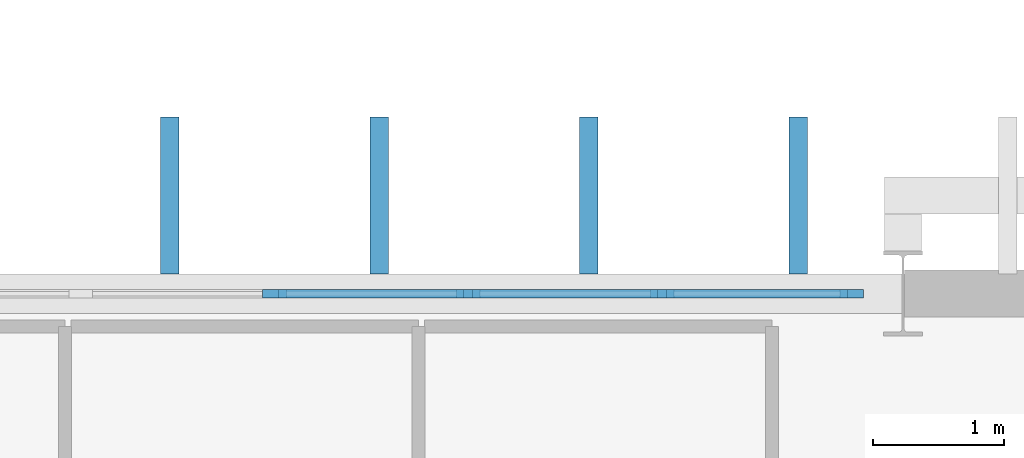
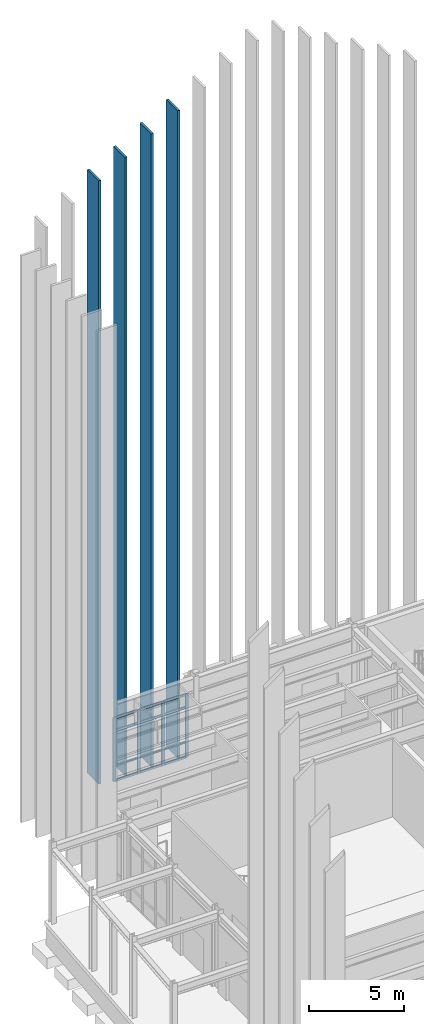
# One storey, part 50 of 109: 20 members, 1 element without a shape of its own.
"""IFC4 building model written with IfcOpenShell, lengths in metres."""

from ifc_helpers import new_model, si_unit, direction, frame, origin, origin_2d, place, context, subcontext, project, spatial, rectangle, extrude, material, layer, layer_set, material_profile, profile_set, type_object, element, aggregate, save


model = new_model("IFC4")

# Units and contexts
model_context = context("Model", 3, precision=1e-05, world=origin(), true_north=direction((0.0, 1.0)))
body_context = subcontext(model_context, "Body", "Model", "MODEL_VIEW")
ifc_project = project(units=[si_unit("LENGTHUNIT", "METRE"), si_unit("AREAUNIT", "SQUARE_METRE"), si_unit("VOLUMEUNIT", "CUBIC_METRE"), si_unit("PLANEANGLEUNIT", "RADIAN"), si_unit("MASSUNIT", "GRAM", prefix="KILO")], contexts=[model_context])

# Site, building, storey
site_placement = place(None, origin())
site = spatial("IfcSite", under=ifc_project, at=site_placement, CompositionType="ELEMENT")
building_placement = place(site_placement, origin())
building = spatial("IfcBuilding", under=site, at=building_placement, Name="Nordkorset Police Headquarters", CompositionType="ELEMENT")
storey_placement = place(building_placement, origin())
storey = spatial("IfcBuildingStorey", under=building, at=storey_placement, Name="L00", CompositionType="ELEMENT", Elevation=0.0)

# Curtain wall, members
ifc_material_1 = material(Name="Aluminium alloy AW-6060", Category="aluminium")
ifc_layer = layer(ifc_material_1, 0.179931640625, Name="Aluminium alloy AW-6060")
ifc_layer_set = layer_set([ifc_layer], Name="Aluminium alloy AW-6060")
curtain_wall_type = type_object("IfcCurtainWallType", Name="CW_Unit_888x408", PredefinedType="USERDEFINED", material=ifc_layer_set)
curtain_wall_placement = place(storey_placement, origin())
curtain_wall = element("IfcCurtainWall", 1, at=curtain_wall_placement, inside=storey, type_object=curtain_wall_type, Name="Unitised Curtain Wall L00 V1N-0", ObjectType="UNITISED CURTAIN WALL", PredefinedType="USERDEFINED")
ifc_material_2 = material(Name="Aluminium alloy AW-6060", Category="aluminium")
ifc_material_profile_1 = material_profile(ifc_material_2, rectangle(XDim=0.06494140625, YDim=0.179931640625, at=origin_2d()), Name="ALU MULL 65x180")
ifc_profile_set_1 = profile_set([ifc_material_profile_1], Name="Aluminium alloy AW-6060")
member_type_1 = type_object("IfcMemberType", Name="CW_Mullion_65x180", PredefinedType="MULLION", material=ifc_profile_set_1)
member_1_placement = place(storey_placement, frame((4.800048828125, 116.800048828125, 0.0), z_axis=(0.0, 0.0, 1.0), x_axis=(0.0, 1.0, 0.0)))
member_1 = element("IfcMember", 2, at=member_1_placement, type_object=member_type_1, Name="CW-14 mullion 4", PredefinedType="MULLION", context=body_context, shape_type="SweptSolid", body=[
    extrude(rectangle(XDim=0.06494140625, YDim=0.179931640625, at=origin_2d()), origin(), (0.0, 0.0, 1.0), 4.080078125),
])
member_2_placement = place(storey_placement, frame((6.280029296875, 116.800048828125, 0.0), z_axis=(0.0, 0.0, 1.0), x_axis=(0.0, 1.0, 0.0)))
member_2 = element("IfcMember", 3, at=member_2_placement, type_object=member_type_1, Name="CW-14 mullion 5", PredefinedType="MULLION", context=body_context, shape_type="SweptSolid", body=[
    extrude(rectangle(XDim=0.06494140625, YDim=0.179931640625, at=origin_2d()), origin(), (0.0, 0.0, 1.0), 4.080078125),
])
member_3_placement = place(storey_placement, frame((7.760009765625, 116.800048828125, 0.0), z_axis=(0.0, 0.0, 1.0), x_axis=(0.0, 1.0, 0.0)))
member_3 = element("IfcMember", 4, at=member_3_placement, type_object=member_type_1, Name="CW-14 mullion 6", PredefinedType="MULLION", context=body_context, shape_type="SweptSolid", body=[
    extrude(rectangle(XDim=0.06494140625, YDim=0.179931640625, at=origin_2d()), origin(), (0.0, 0.0, 1.0), 4.080078125),
])
member_4_placement = place(storey_placement, frame((9.20751953125, 116.800048828125, 0.0), z_axis=(0.0, 0.0, 1.0), x_axis=(0.0, 1.0, 0.0)))
member_4 = element("IfcMember", 5, at=member_4_placement, type_object=member_type_1, Name="CW-14 mullion 7", PredefinedType="MULLION", context=body_context, shape_type="SweptSolid", body=[
    extrude(rectangle(XDim=0.06494140625, YDim=0.179931640625, at=origin_2d()), origin(), (0.0, 0.0, 1.0), 4.080078125),
])
ifc_material_3 = material(Name="Aluminium alloy AW-6060", Category="aluminium")
ifc_material_profile_2 = material_profile(ifc_material_3, rectangle(XDim=0.06494140625, YDim=0.139892578125, at=origin_2d()), Name="ALU TRAN 65x140")
ifc_profile_set_2 = profile_set([ifc_material_profile_2], Name="Aluminium alloy AW-6060")
member_type_2 = type_object("IfcMemberType", Name="CW_Transom_65x140", PredefinedType="USERDEFINED", material=ifc_profile_set_2)
member_5_placement = place(storey_placement, frame((4.83251953125, 116.800048828125, 0.032470703125), z_axis=(1.0, 0.0, 0.0), x_axis=(0.0, 1.0, 0.0)))
member_5 = element("IfcMember", 6, at=member_5_placement, type_object=member_type_2, Name="CW-14 transom 4.1", ObjectType="TRANSOM", PredefinedType="USERDEFINED", context=body_context, shape_type="SweptSolid", body=[
    extrude(rectangle(XDim=0.06494140625, YDim=0.139892578125, at=origin_2d()), origin(), (0.0, 0.0, 1.0), 1.4150390625),
])
member_6_placement = place(storey_placement, frame((4.83251953125, 116.800048828125, 1.0), z_axis=(1.0, 0.0, 0.0), x_axis=(0.0, 1.0, 0.0)))
member_6 = element("IfcMember", 7, at=member_6_placement, type_object=member_type_2, Name="CW-14 transom 4.2", ObjectType="TRANSOM", PredefinedType="USERDEFINED", context=body_context, shape_type="SweptSolid", body=[
    extrude(rectangle(XDim=0.06494140625, YDim=0.139892578125, at=origin_2d()), origin(), (0.0, 0.0, 1.0), 1.4150390625),
])
member_7_placement = place(storey_placement, frame((4.83251953125, 116.800048828125, 3.22998046875), z_axis=(1.0, 0.0, 0.0), x_axis=(0.0, 1.0, 0.0)))
member_7 = element("IfcMember", 8, at=member_7_placement, type_object=member_type_2, Name="CW-14 transom 4.3", ObjectType="TRANSOM", PredefinedType="USERDEFINED", context=body_context, shape_type="SweptSolid", body=[
    extrude(rectangle(XDim=0.06494140625, YDim=0.139892578125, at=origin_2d()), origin(), (0.0, 0.0, 1.0), 1.4150390625),
])
member_8_placement = place(storey_placement, frame((4.83251953125, 116.800048828125, 4.047607421875), z_axis=(1.0, 0.0, 0.0), x_axis=(0.0, 1.0, 0.0)))
member_8 = element("IfcMember", 9, at=member_8_placement, type_object=member_type_2, Name="CW-14 transom 4.4", ObjectType="TRANSOM", PredefinedType="USERDEFINED", context=body_context, shape_type="SweptSolid", body=[
    extrude(rectangle(XDim=0.06494140625, YDim=0.139892578125, at=origin_2d()), origin(), (0.0, 0.0, 1.0), 1.4150390625),
])
member_9_placement = place(storey_placement, frame((6.3125, 116.800048828125, 0.032470703125), z_axis=(1.0, 0.0, 0.0), x_axis=(0.0, 1.0, 0.0)))
member_9 = element("IfcMember", 10, at=member_9_placement, type_object=member_type_2, Name="CW-14 transom 5.1", ObjectType="TRANSOM", PredefinedType="USERDEFINED", context=body_context, shape_type="SweptSolid", body=[
    extrude(rectangle(XDim=0.06494140625, YDim=0.139892578125, at=origin_2d()), origin(), (0.0, 0.0, 1.0), 1.4150390625),
])
member_10_placement = place(storey_placement, frame((6.3125, 116.800048828125, 1.0), z_axis=(1.0, 0.0, 0.0), x_axis=(0.0, 1.0, 0.0)))
member_10 = element("IfcMember", 11, at=member_10_placement, type_object=member_type_2, Name="CW-14 transom 5.2", ObjectType="TRANSOM", PredefinedType="USERDEFINED", context=body_context, shape_type="SweptSolid", body=[
    extrude(rectangle(XDim=0.06494140625, YDim=0.139892578125, at=origin_2d()), origin(), (0.0, 0.0, 1.0), 1.4150390625),
])
member_11_placement = place(storey_placement, frame((6.3125, 116.800048828125, 3.22998046875), z_axis=(1.0, 0.0, 0.0), x_axis=(0.0, 1.0, 0.0)))
member_11 = element("IfcMember", 12, at=member_11_placement, type_object=member_type_2, Name="CW-14 transom 5.3", ObjectType="TRANSOM", PredefinedType="USERDEFINED", context=body_context, shape_type="SweptSolid", body=[
    extrude(rectangle(XDim=0.06494140625, YDim=0.139892578125, at=origin_2d()), origin(), (0.0, 0.0, 1.0), 1.4150390625),
])
member_12_placement = place(storey_placement, frame((6.3125, 116.800048828125, 4.047607421875), z_axis=(1.0, 0.0, 0.0), x_axis=(0.0, 1.0, 0.0)))
member_12 = element("IfcMember", 13, at=member_12_placement, type_object=member_type_2, Name="CW-14 transom 5.4", ObjectType="TRANSOM", PredefinedType="USERDEFINED", context=body_context, shape_type="SweptSolid", body=[
    extrude(rectangle(XDim=0.06494140625, YDim=0.139892578125, at=origin_2d()), origin(), (0.0, 0.0, 1.0), 1.4150390625),
])
member_13_placement = place(storey_placement, frame((7.79248046875, 116.800048828125, 0.032470703125), z_axis=(1.0, 0.0, 0.0), x_axis=(0.0, 1.0, 0.0)))
member_13 = element("IfcMember", 14, at=member_13_placement, type_object=member_type_2, Name="CW-14 transom 6.1", ObjectType="TRANSOM", PredefinedType="USERDEFINED", context=body_context, shape_type="SweptSolid", body=[
    extrude(rectangle(XDim=0.06494140625, YDim=0.139892578125, at=origin_2d()), origin(), (0.0, 0.0, 1.0), 1.382568359375),
])
member_14_placement = place(storey_placement, frame((7.79248046875, 116.800048828125, 1.0), z_axis=(1.0, 0.0, 0.0), x_axis=(0.0, 1.0, 0.0)))
member_14 = element("IfcMember", 15, at=member_14_placement, type_object=member_type_2, Name="CW-14 transom 6.2", ObjectType="TRANSOM", PredefinedType="USERDEFINED", context=body_context, shape_type="SweptSolid", body=[
    extrude(rectangle(XDim=0.06494140625, YDim=0.139892578125, at=origin_2d()), origin(), (0.0, 0.0, 1.0), 1.382568359375),
])
member_15_placement = place(storey_placement, frame((7.79248046875, 116.800048828125, 3.22998046875), z_axis=(1.0, 0.0, 0.0), x_axis=(0.0, 1.0, 0.0)))
member_15 = element("IfcMember", 16, at=member_15_placement, type_object=member_type_2, Name="CW-14 transom 6.3", ObjectType="TRANSOM", PredefinedType="USERDEFINED", context=body_context, shape_type="SweptSolid", body=[
    extrude(rectangle(XDim=0.06494140625, YDim=0.139892578125, at=origin_2d()), origin(), (0.0, 0.0, 1.0), 1.382568359375),
])
member_16_placement = place(storey_placement, frame((7.79248046875, 116.800048828125, 4.047607421875), z_axis=(1.0, 0.0, 0.0), x_axis=(0.0, 1.0, 0.0)))
member_16 = element("IfcMember", 17, at=member_16_placement, type_object=member_type_2, Name="CW-14 transom 6.4", ObjectType="TRANSOM", PredefinedType="USERDEFINED", context=body_context, shape_type="SweptSolid", body=[
    extrude(rectangle(XDim=0.06494140625, YDim=0.139892578125, at=origin_2d()), origin(), (0.0, 0.0, 1.0), 1.382568359375),
])
aggregate(curtain_wall, [member_1, member_2, member_3, member_4, member_5, member_6, member_7, member_8, member_9, member_10, member_11, member_12, member_13, member_14, member_15, member_16])

# Members
ifc_material_4 = material(Name="Glulam GL30c", Category="wood")
ifc_material_profile_3 = material_profile(ifc_material_4, rectangle(XDim=0.139892578125, YDim=1.199951171875, at=origin_2d()), Name="GL30C FIN 140x1200")
ifc_profile_set_3 = profile_set([ifc_material_profile_3], Name="Glulam GL30c")
member_type_3 = type_object("IfcMemberType", Name="Member_GlulamFin_140x1200", PredefinedType="USERDEFINED", material=ifc_profile_set_3)
member_17_placement = place(storey_placement, frame((4.0, 117.550048828125, 0.0), z_axis=(0.0, 0.0, 1.0), x_axis=(1.0, 0.0, 0.0)))
element("IfcMember", 18, at=member_17_placement, inside=storey, type_object=member_type_3, Name="Vertical Glulam Gable Fin North 047", ObjectType="VERTICAL TIMBER FIN", PredefinedType="USERDEFINED", context=body_context, shape_type="SweptSolid", body=[
    extrude(rectangle(XDim=0.139892578125, YDim=1.199951171875, at=origin_2d()), origin(), (0.0, 0.0, 1.0), 38.76220703125),
])
member_18_placement = place(storey_placement, frame((5.60009765625, 117.550048828125, 0.0), z_axis=(0.0, 0.0, 1.0), x_axis=(1.0, 0.0, 0.0)))
element("IfcMember", 19, at=member_18_placement, inside=storey, type_object=member_type_3, Name="Vertical Glulam Gable Fin North 049", ObjectType="VERTICAL TIMBER FIN", PredefinedType="USERDEFINED", context=body_context, shape_type="SweptSolid", body=[
    extrude(rectangle(XDim=0.139892578125, YDim=1.199951171875, at=origin_2d()), origin(), (0.0, 0.0, 1.0), 39.701171875),
])
member_19_placement = place(storey_placement, frame((7.199951171875, 117.550048828125, 0.0), z_axis=(0.0, 0.0, 1.0), x_axis=(1.0, 0.0, 0.0)))
element("IfcMember", 20, at=member_19_placement, inside=storey, type_object=member_type_3, Name="Vertical Glulam Gable Fin North 051", ObjectType="VERTICAL TIMBER FIN", PredefinedType="USERDEFINED", context=body_context, shape_type="SweptSolid", body=[
    extrude(rectangle(XDim=0.139892578125, YDim=1.199951171875, at=origin_2d()), origin(), (0.0, 0.0, 1.0), 40.639892578125),
])
member_20_placement = place(storey_placement, frame((8.800048828125, 117.550048828125, 0.0), z_axis=(0.0, 0.0, 1.0), x_axis=(1.0, 0.0, 0.0)))
element("IfcMember", 21, at=member_20_placement, inside=storey, type_object=member_type_3, Name="Vertical Glulam Gable Fin North 053", ObjectType="VERTICAL TIMBER FIN", PredefinedType="USERDEFINED", context=body_context, shape_type="SweptSolid", body=[
    extrude(rectangle(XDim=0.139892578125, YDim=1.199951171875, at=origin_2d()), origin(), (0.0, 0.0, 1.0), 41.578857421875),
])

save(model, "model.ifc")
